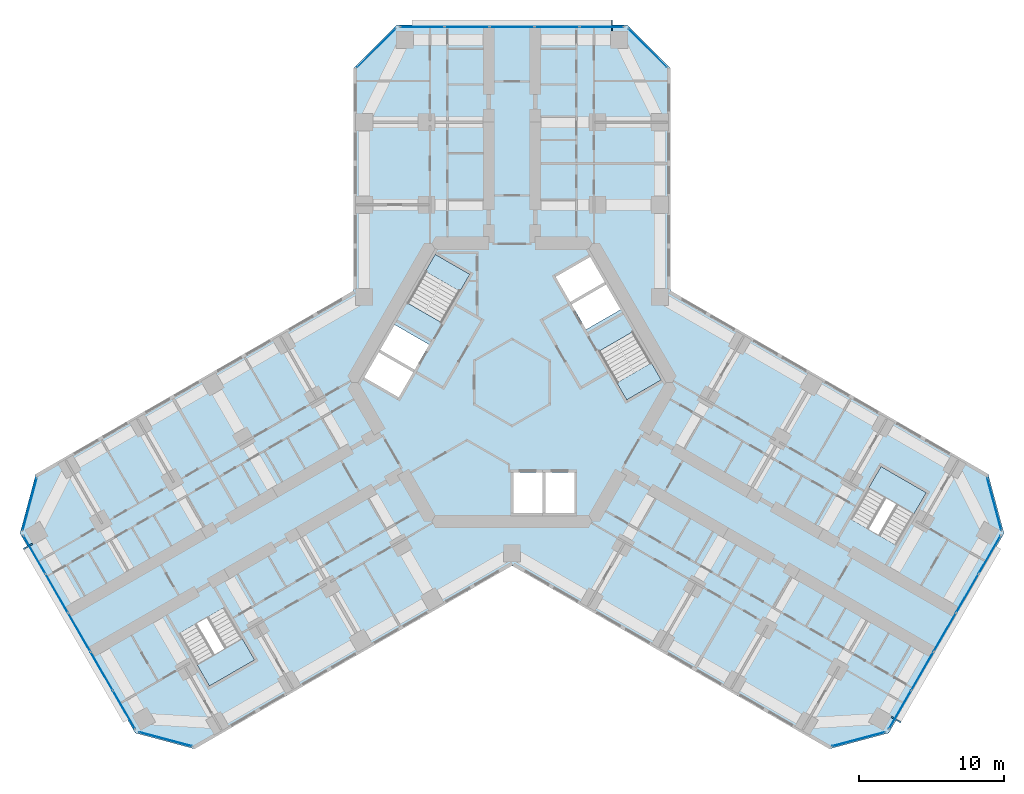
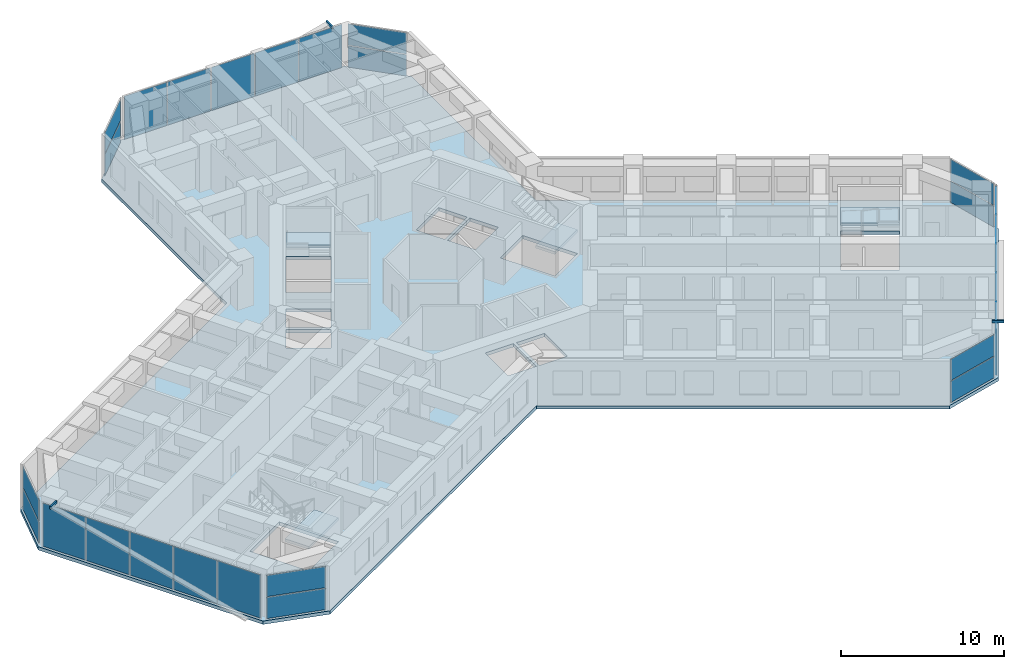
# One storey, part 9 of 20: 27 plates, 5 slabs, 3 members, 13 elements without a shape of their own.
"""IFC4 building model written with IfcOpenShell, lengths in metres."""

from ifc_helpers import new_model, si_unit, direction, frame, origin, origin_2d, place, context, subcontext, project, spatial, polyline, rectangle, hollow_rectangle, outline, extrude, material, layer, layer_set, material_profile, profile_set, type_object, element, aggregate, save


model = new_model("IFC4")

# Units and contexts
model_context = context("Model", 3, precision=1e-05, world=origin(), true_north=direction((0.0, 1.0)))
body_context = subcontext(model_context, "Body", "Model", "MODEL_VIEW")
ifc_project = project(units=[si_unit("LENGTHUNIT", "METRE"), si_unit("AREAUNIT", "SQUARE_METRE"), si_unit("VOLUMEUNIT", "CUBIC_METRE"), si_unit("PLANEANGLEUNIT", "RADIAN"), si_unit("MASSUNIT", "GRAM", prefix="KILO")], contexts=[model_context])

# Site, building, storey
site_placement = place(None, origin())
site = spatial("IfcSite", under=ifc_project, at=site_placement, CompositionType="ELEMENT")
building_placement = place(site_placement, origin())
building = spatial("IfcBuilding", under=site, at=building_placement, Name="Kosmar Iwan School Tower", CompositionType="ELEMENT")
storey_placement = place(building_placement, frame((0.0, 0.0, 127.39990234375)))
storey = spatial("IfcBuildingStorey", under=building, at=storey_placement, Name="L31", CompositionType="ELEMENT", Elevation=127.39990234375)

# Members
ifc_material_1 = material(Name="Steel S355", Category="steel")
ifc_material_profile = material_profile(ifc_material_1, hollow_rectangle(XDim=0.10009765625, YDim=0.199951171875, WallThickness=0.008056640625, at=origin_2d()), Name="RHS 200x100x8")
ifc_profile_set = profile_set([ifc_material_profile], Name="Steel S355")
member_type = type_object("IfcMemberType", Name="Fin bracket RHS 200x100", PredefinedType="USERDEFINED", material=ifc_profile_set)
for number, where, z_axis, x_axis, name in (
    (1, (26.1689453125, -23.073974609375, 3.47509765625), (0.86599040064, -0.500060622324, 0.0), (0.500060622324, 0.86599040064, 0.0), "Fin bracket L32"),
    (2, (6.898193359375, 24.25, 3.47509765625), (0.0, 1.0, 0.0), (-1.0, 0.0, 0.0), "Fin bracket L32"),
    (3, (-33.067138671875, -11.1259765625, 3.47509765625), (-0.866071776036, -0.499919672301, 0.0), (0.499919672301, -0.866071776036, 0.0), "Fin bracket L32"),
):
    element("IfcMember", number, at=place(storey_placement, frame(where, z_axis=z_axis, x_axis=x_axis)), inside=storey, type_object=member_type, Name=name, ObjectType="FIN BRACKET", PredefinedType="USERDEFINED", context=body_context, shape_type="SweptSolid", body=[
        extrude(hollow_rectangle(XDim=0.10009765625, YDim=0.199951171875, WallThickness=0.008056640625, at=origin_2d()), origin(), (0.0, 0.0, 1.0), 0.75),
    ])

# Curtain wall, plates
ifc_material_2 = material(Name="Dark glass in black aluminium frame", Category="aluminium")
curtain_wall_type_1 = type_object("IfcCurtainWallType", Name="Chamfer curtain wall dark glass", PredefinedType="USERDEFINED", material=ifc_material_2)
curtain_wall_1_placement = place(storey_placement, origin())
curtain_wall_1 = element("IfcCurtainWall", 4, at=curtain_wall_1_placement, inside=storey, type_object=curtain_wall_type_1, Name="Curtain wall L31-F02", ObjectType="FACETED CURTAIN WALL", PredefinedType="USERDEFINED")
ifc_material_3 = material(Name="Dark glass", Category="glass")
ifc_layer_1 = layer(ifc_material_3, 0.028076171875)
ifc_layer_set_1 = layer_set([ifc_layer_1], Name="Dark glass panel 28")
plate_type = type_object("IfcPlateType", Name="Dark glass panel 28", PredefinedType="CURTAIN_PANEL", material=ifc_layer_set_1)
plate_1_placement = place(storey_placement, frame((23.908203125, -24.61328125, 0.06005859375), z_axis=(0.0, 0.0, 1.0), x_axis=(0.965925875495, 0.258818861462, 0.0)))
plate_1 = element("IfcPlate", 5, at=plate_1_placement, type_object=plate_type, Name="CW2 panel 1.1", PredefinedType="CURTAIN_PANEL", context=body_context, shape_type="SweptSolid", body=[
    extrude(rectangle(XDim=3.718994140625, YDim=0.028076171875, at=origin_2d()), origin(), (0.0, 0.0, 1.0), 1.5849609375),
])
plate_2_placement = place(storey_placement, frame((23.908203125, -24.61328125, 1.705078125), z_axis=(0.0, 0.0, 1.0), x_axis=(0.965925875495, 0.258818861462, 0.0)))
plate_2 = element("IfcPlate", 6, at=plate_2_placement, type_object=plate_type, Name="CW2 panel 1.2", PredefinedType="CURTAIN_PANEL", context=body_context, shape_type="SweptSolid", body=[
    extrude(rectangle(XDim=3.718994140625, YDim=0.028076171875, at=origin_2d()), origin(), (0.0, 0.0, 1.0), 1.5849609375),
])
aggregate(curtain_wall_1, [plate_1, plate_2])

ifc_material_4 = material(Name="Dark glass in black aluminium frame", Category="aluminium")
curtain_wall_type_2 = type_object("IfcCurtainWallType", Name="Tower curtain wall dark glass", PredefinedType="USERDEFINED", material=ifc_material_4)
curtain_wall_2_placement = place(storey_placement, origin())
curtain_wall_2 = element("IfcCurtainWall", 7, at=curtain_wall_2_placement, inside=storey, type_object=curtain_wall_type_2, Name="Curtain wall L31-F03", ObjectType="UNITISED CURTAIN WALL", PredefinedType="USERDEFINED")
plate_3_placement = place(storey_placement, frame((26.764404296875, -22.592529296875, 0.06005859375), z_axis=(0.0, 0.0, 1.0), x_axis=(0.499999997325, 0.866025405329, 0.0)))
plate_3 = element("IfcPlate", 8, at=plate_3_placement, type_object=plate_type, Name="CW1 panel 1.1", PredefinedType="CURTAIN_PANEL", context=body_context, shape_type="SweptSolid", body=[
    extrude(rectangle(XDim=3.00927734375, YDim=0.028076171875, at=origin_2d()), origin(), (0.0, 0.0, 1.0), 3.22998046875),
])
plate_4_placement = place(storey_placement, frame((28.306640625, -19.921630859375, 0.06005859375), z_axis=(0.0, 0.0, 1.0), x_axis=(0.499999997325, 0.866025405329, 0.0)))
plate_4 = element("IfcPlate", 9, at=plate_4_placement, type_object=plate_type, Name="CW1 panel 2.1", PredefinedType="CURTAIN_PANEL", context=body_context, shape_type="SweptSolid", body=[
    extrude(rectangle(XDim=3.039306640625, YDim=0.028076171875, at=origin_2d()), origin(), (0.0, 0.0, 1.0), 3.22998046875),
])
plate_5_placement = place(storey_placement, frame((29.856201171875, -17.237548828125, 0.06005859375), z_axis=(0.0, 0.0, 1.0), x_axis=(0.499999997325, 0.866025405329, 0.0)))
plate_5 = element("IfcPlate", 10, at=plate_5_placement, type_object=plate_type, Name="CW1 panel 3.1", PredefinedType="CURTAIN_PANEL", context=body_context, shape_type="SweptSolid", body=[
    extrude(rectangle(XDim=3.039306640625, YDim=0.028076171875, at=origin_2d()), origin(), (0.0, 0.0, 1.0), 3.22998046875),
])
plate_6_placement = place(storey_placement, frame((31.40576171875, -14.553466796875, 0.06005859375), z_axis=(0.0, 0.0, 1.0), x_axis=(0.499999997325, 0.866025405329, 0.0)))
plate_6 = element("IfcPlate", 11, at=plate_6_placement, type_object=plate_type, Name="CW1 panel 4.1", PredefinedType="CURTAIN_PANEL", context=body_context, shape_type="SweptSolid", body=[
    extrude(rectangle(XDim=3.039306640625, YDim=0.028076171875, at=origin_2d()), origin(), (0.0, 0.0, 1.0), 3.22998046875),
])
plate_7_placement = place(storey_placement, frame((32.947998046875, -11.88232421875, 0.06005859375), z_axis=(0.0, 0.0, 1.0), x_axis=(0.499999997325, 0.866025405329, 0.0)))
plate_7 = element("IfcPlate", 12, at=plate_7_placement, type_object=plate_type, Name="CW1 panel 5.1", PredefinedType="CURTAIN_PANEL", context=body_context, shape_type="SweptSolid", body=[
    extrude(rectangle(XDim=3.00927734375, YDim=0.028076171875, at=origin_2d()), origin(), (0.0, 0.0, 1.0), 3.22998046875),
])
aggregate(curtain_wall_2, [plate_3, plate_4, plate_5, plate_6, plate_7])

curtain_wall_3_placement = place(storey_placement, origin())
curtain_wall_3 = element("IfcCurtainWall", 13, at=curtain_wall_3_placement, inside=storey, type_object=curtain_wall_type_1, Name="Curtain wall L31-F04", ObjectType="FACETED CURTAIN WALL", PredefinedType="USERDEFINED")
plate_8_placement = place(storey_placement, frame((33.269775390625, -8.3984375, 0.06005859375), z_axis=(0.0, 0.0, 1.0), x_axis=(-0.258818861462, 0.965925875495, 0.0)))
plate_8 = element("IfcPlate", 14, at=plate_8_placement, type_object=plate_type, Name="CW2 panel 1.1", PredefinedType="CURTAIN_PANEL", context=body_context, shape_type="SweptSolid", body=[
    extrude(rectangle(XDim=3.718994140625, YDim=0.028076171875, at=origin_2d()), origin(), (0.0, 0.0, 1.0), 1.5849609375),
])
plate_9_placement = place(storey_placement, frame((33.269775390625, -8.3984375, 1.705078125), z_axis=(0.0, 0.0, 1.0), x_axis=(-0.258818861462, 0.965925875495, 0.0)))
plate_9 = element("IfcPlate", 15, at=plate_9_placement, type_object=plate_type, Name="CW2 panel 1.2", PredefinedType="CURTAIN_PANEL", context=body_context, shape_type="SweptSolid", body=[
    extrude(rectangle(XDim=3.718994140625, YDim=0.028076171875, at=origin_2d()), origin(), (0.0, 0.0, 1.0), 1.5849609375),
])
aggregate(curtain_wall_3, [plate_8, plate_9])

curtain_wall_4_placement = place(storey_placement, origin())
curtain_wall_4 = element("IfcCurtainWall", 16, at=curtain_wall_4_placement, inside=storey, type_object=curtain_wall_type_1, Name="Curtain wall L31-F07", ObjectType="FACETED CURTAIN WALL", PredefinedType="USERDEFINED")
plate_10_placement = place(storey_placement, frame((9.361572265625, 23.0615234375, 0.06005859375), z_axis=(0.0, 0.0, 1.0), x_axis=(-0.707106781187, 0.707106781187, 0.0)))
plate_10 = element("IfcPlate", 17, at=plate_10_placement, type_object=plate_type, Name="CW2 panel 1.1", PredefinedType="CURTAIN_PANEL", context=body_context, shape_type="SweptSolid", body=[
    extrude(rectangle(XDim=3.718994140625, YDim=0.028076171875, at=origin_2d()), origin(), (0.0, 0.0, 1.0), 1.5849609375),
])
plate_11_placement = place(storey_placement, frame((9.361572265625, 23.0615234375, 1.705078125), z_axis=(0.0, 0.0, 1.0), x_axis=(-0.707106781187, 0.707106781187, 0.0)))
plate_11 = element("IfcPlate", 18, at=plate_11_placement, type_object=plate_type, Name="CW2 panel 1.2", PredefinedType="CURTAIN_PANEL", context=body_context, shape_type="SweptSolid", body=[
    extrude(rectangle(XDim=3.718994140625, YDim=0.028076171875, at=origin_2d()), origin(), (0.0, 0.0, 1.0), 1.5849609375),
])
aggregate(curtain_wall_4, [plate_10, plate_11])

curtain_wall_5_placement = place(storey_placement, origin())
curtain_wall_5 = element("IfcCurtainWall", 19, at=curtain_wall_5_placement, inside=storey, type_object=curtain_wall_type_2, Name="Curtain wall L31-F08", ObjectType="UNITISED CURTAIN WALL", PredefinedType="USERDEFINED")
plate_12_placement = place(storey_placement, frame((6.18359375, 24.52490234375, 0.06005859375), z_axis=(0.0, 0.0, 1.0), x_axis=(-1.0, 0.0, 0.0)))
plate_12 = element("IfcPlate", 20, at=plate_12_placement, type_object=plate_type, Name="CW1 panel 1.1", PredefinedType="CURTAIN_PANEL", context=body_context, shape_type="SweptSolid", body=[
    extrude(rectangle(XDim=3.00927734375, YDim=0.028076171875, at=origin_2d()), origin(), (0.0, 0.0, 1.0), 3.22998046875),
])
plate_13_placement = place(storey_placement, frame((3.099365234375, 24.52490234375, 0.06005859375), z_axis=(0.0, 0.0, 1.0), x_axis=(-1.0, 0.0, 0.0)))
plate_13 = element("IfcPlate", 21, at=plate_13_placement, type_object=plate_type, Name="CW1 panel 2.1", PredefinedType="CURTAIN_PANEL", context=body_context, shape_type="SweptSolid", body=[
    extrude(rectangle(XDim=3.039306640625, YDim=0.028076171875, at=origin_2d()), origin(), (0.0, 0.0, 1.0), 3.22998046875),
])
plate_14_placement = place(storey_placement, frame((0.0, 24.52490234375, 0.06005859375), z_axis=(0.0, 0.0, 1.0), x_axis=(-1.0, 0.0, 0.0)))
plate_14 = element("IfcPlate", 22, at=plate_14_placement, type_object=plate_type, Name="CW1 panel 3.1", PredefinedType="CURTAIN_PANEL", context=body_context, shape_type="SweptSolid", body=[
    extrude(rectangle(XDim=3.039306640625, YDim=0.028076171875, at=origin_2d()), origin(), (0.0, 0.0, 1.0), 3.22998046875),
])
plate_15_placement = place(storey_placement, frame((-3.099365234375, 24.52490234375, 0.06005859375), z_axis=(0.0, 0.0, 1.0), x_axis=(-1.0, 0.0, 0.0)))
plate_15 = element("IfcPlate", 23, at=plate_15_placement, type_object=plate_type, Name="CW1 panel 4.1", PredefinedType="CURTAIN_PANEL", context=body_context, shape_type="SweptSolid", body=[
    extrude(rectangle(XDim=3.039306640625, YDim=0.028076171875, at=origin_2d()), origin(), (0.0, 0.0, 1.0), 3.22998046875),
])
plate_16_placement = place(storey_placement, frame((-6.18359375, 24.52490234375, 0.06005859375), z_axis=(0.0, 0.0, 1.0), x_axis=(-1.0, 0.0, 0.0)))
plate_16 = element("IfcPlate", 24, at=plate_16_placement, type_object=plate_type, Name="CW1 panel 5.1", PredefinedType="CURTAIN_PANEL", context=body_context, shape_type="SweptSolid", body=[
    extrude(rectangle(XDim=3.00927734375, YDim=0.028076171875, at=origin_2d()), origin(), (0.0, 0.0, 1.0), 3.22998046875),
])
aggregate(curtain_wall_5, [plate_12, plate_13, plate_14, plate_15, plate_16])

curtain_wall_6_placement = place(storey_placement, origin())
curtain_wall_6 = element("IfcCurtainWall", 25, at=curtain_wall_6_placement, inside=storey, type_object=curtain_wall_type_1, Name="Curtain wall L31-F09", ObjectType="FACETED CURTAIN WALL", PredefinedType="USERDEFINED")
plate_17_placement = place(storey_placement, frame((-9.361572265625, 23.0615234375, 0.06005859375), z_axis=(0.0, 0.0, 1.0), x_axis=(-0.707106781187, -0.707106781187, 0.0)))
plate_17 = element("IfcPlate", 26, at=plate_17_placement, type_object=plate_type, Name="CW2 panel 1.1", PredefinedType="CURTAIN_PANEL", context=body_context, shape_type="SweptSolid", body=[
    extrude(rectangle(XDim=3.718994140625, YDim=0.028076171875, at=origin_2d()), origin(), (0.0, 0.0, 1.0), 1.5849609375),
])
plate_18_placement = place(storey_placement, frame((-9.361572265625, 23.0615234375, 1.705078125), z_axis=(0.0, 0.0, 1.0), x_axis=(-0.707106781187, -0.707106781187, 0.0)))
plate_18 = element("IfcPlate", 27, at=plate_18_placement, type_object=plate_type, Name="CW2 panel 1.2", PredefinedType="CURTAIN_PANEL", context=body_context, shape_type="SweptSolid", body=[
    extrude(rectangle(XDim=3.718994140625, YDim=0.028076171875, at=origin_2d()), origin(), (0.0, 0.0, 1.0), 1.5849609375),
])
aggregate(curtain_wall_6, [plate_17, plate_18])

curtain_wall_7_placement = place(storey_placement, origin())
curtain_wall_7 = element("IfcCurtainWall", 28, at=curtain_wall_7_placement, inside=storey, type_object=curtain_wall_type_1, Name="Curtain wall L31-F12", ObjectType="FACETED CURTAIN WALL", PredefinedType="USERDEFINED")
plate_19_placement = place(storey_placement, frame((-33.269775390625, -8.3984375, 0.06005859375), z_axis=(0.0, 0.0, 1.0), x_axis=(-0.258818861462, -0.965925875495, 0.0)))
plate_19 = element("IfcPlate", 29, at=plate_19_placement, type_object=plate_type, Name="CW2 panel 1.1", PredefinedType="CURTAIN_PANEL", context=body_context, shape_type="SweptSolid", body=[
    extrude(rectangle(XDim=3.718994140625, YDim=0.028076171875, at=origin_2d()), origin(), (0.0, 0.0, 1.0), 1.5849609375),
])
plate_20_placement = place(storey_placement, frame((-33.269775390625, -8.3984375, 1.705078125), z_axis=(0.0, 0.0, 1.0), x_axis=(-0.258818861462, -0.965925875495, 0.0)))
plate_20 = element("IfcPlate", 30, at=plate_20_placement, type_object=plate_type, Name="CW2 panel 1.2", PredefinedType="CURTAIN_PANEL", context=body_context, shape_type="SweptSolid", body=[
    extrude(rectangle(XDim=3.718994140625, YDim=0.028076171875, at=origin_2d()), origin(), (0.0, 0.0, 1.0), 1.5849609375),
])
aggregate(curtain_wall_7, [plate_19, plate_20])

curtain_wall_8_placement = place(storey_placement, origin())
curtain_wall_8 = element("IfcCurtainWall", 31, at=curtain_wall_8_placement, inside=storey, type_object=curtain_wall_type_2, Name="Curtain wall L31-F13", ObjectType="UNITISED CURTAIN WALL", PredefinedType="USERDEFINED")
plate_21_placement = place(storey_placement, frame((-32.947998046875, -11.88232421875, 0.06005859375), z_axis=(0.0, 0.0, 1.0), x_axis=(0.499999997325, -0.866025405329, 0.0)))
plate_21 = element("IfcPlate", 32, at=plate_21_placement, type_object=plate_type, Name="CW1 panel 1.1", PredefinedType="CURTAIN_PANEL", context=body_context, shape_type="SweptSolid", body=[
    extrude(rectangle(XDim=3.00927734375, YDim=0.028076171875, at=origin_2d()), origin(), (0.0, 0.0, 1.0), 3.22998046875),
])
plate_22_placement = place(storey_placement, frame((-31.40576171875, -14.553466796875, 0.06005859375), z_axis=(0.0, 0.0, 1.0), x_axis=(0.499999997325, -0.866025405329, 0.0)))
plate_22 = element("IfcPlate", 33, at=plate_22_placement, type_object=plate_type, Name="CW1 panel 2.1", PredefinedType="CURTAIN_PANEL", context=body_context, shape_type="SweptSolid", body=[
    extrude(rectangle(XDim=3.039306640625, YDim=0.028076171875, at=origin_2d()), origin(), (0.0, 0.0, 1.0), 3.22998046875),
])
plate_23_placement = place(storey_placement, frame((-29.856201171875, -17.237548828125, 0.06005859375), z_axis=(0.0, 0.0, 1.0), x_axis=(0.499999997325, -0.866025405329, 0.0)))
plate_23 = element("IfcPlate", 34, at=plate_23_placement, type_object=plate_type, Name="CW1 panel 3.1", PredefinedType="CURTAIN_PANEL", context=body_context, shape_type="SweptSolid", body=[
    extrude(rectangle(XDim=3.039306640625, YDim=0.028076171875, at=origin_2d()), origin(), (0.0, 0.0, 1.0), 3.22998046875),
])
plate_24_placement = place(storey_placement, frame((-28.306640625, -19.921630859375, 0.06005859375), z_axis=(0.0, 0.0, 1.0), x_axis=(0.499999997325, -0.866025405329, 0.0)))
plate_24 = element("IfcPlate", 35, at=plate_24_placement, type_object=plate_type, Name="CW1 panel 4.1", PredefinedType="CURTAIN_PANEL", context=body_context, shape_type="SweptSolid", body=[
    extrude(rectangle(XDim=3.039306640625, YDim=0.028076171875, at=origin_2d()), origin(), (0.0, 0.0, 1.0), 3.22998046875),
])
plate_25_placement = place(storey_placement, frame((-26.764404296875, -22.592529296875, 0.06005859375), z_axis=(0.0, 0.0, 1.0), x_axis=(0.499999997325, -0.866025405329, 0.0)))
plate_25 = element("IfcPlate", 36, at=plate_25_placement, type_object=plate_type, Name="CW1 panel 5.1", PredefinedType="CURTAIN_PANEL", context=body_context, shape_type="SweptSolid", body=[
    extrude(rectangle(XDim=3.00927734375, YDim=0.028076171875, at=origin_2d()), origin(), (0.0, 0.0, 1.0), 3.22998046875),
])
aggregate(curtain_wall_8, [plate_21, plate_22, plate_23, plate_24, plate_25])

curtain_wall_9_placement = place(storey_placement, origin())
curtain_wall_9 = element("IfcCurtainWall", 37, at=curtain_wall_9_placement, inside=storey, type_object=curtain_wall_type_1, Name="Curtain wall L31-F14", ObjectType="FACETED CURTAIN WALL", PredefinedType="USERDEFINED")
plate_26_placement = place(storey_placement, frame((-23.908203125, -24.61328125, 0.06005859375), z_axis=(0.0, 0.0, 1.0), x_axis=(0.965925875495, -0.258818861462, 0.0)))
plate_26 = element("IfcPlate", 38, at=plate_26_placement, type_object=plate_type, Name="CW2 panel 1.1", PredefinedType="CURTAIN_PANEL", context=body_context, shape_type="SweptSolid", body=[
    extrude(rectangle(XDim=3.718994140625, YDim=0.028076171875, at=origin_2d()), origin(), (0.0, 0.0, 1.0), 1.5849609375),
])
plate_27_placement = place(storey_placement, frame((-23.908203125, -24.61328125, 1.705078125), z_axis=(0.0, 0.0, 1.0), x_axis=(0.965925875495, -0.258818861462, 0.0)))
plate_27 = element("IfcPlate", 39, at=plate_27_placement, type_object=plate_type, Name="CW2 panel 1.2", PredefinedType="CURTAIN_PANEL", context=body_context, shape_type="SweptSolid", body=[
    extrude(rectangle(XDim=3.718994140625, YDim=0.028076171875, at=origin_2d()), origin(), (0.0, 0.0, 1.0), 1.5849609375),
])
aggregate(curtain_wall_9, [plate_26, plate_27])

# Stair, slab
ifc_material_5 = material(Name="Concrete C35/45", Category="concrete")
stair_type_1 = type_object("IfcStairType", Name="Escape stair 3600", PredefinedType="HALF_TURN_STAIR", material=ifc_material_5)
stair_1_placement = place(storey_placement, origin())
stair_1 = element("IfcStair", 40, at=stair_1_placement, inside=storey, type_object=stair_type_1, Name="Stair WS2 L31", PredefinedType="HALF_TURN_STAIR")
ifc_material_6 = material(Name="Concrete C35/45", Category="concrete")
ifc_layer_2 = layer(ifc_material_6, 0.199951171875)
ifc_layer_set_2 = layer_set([ifc_layer_2], Name="Escape stair landing 200")
slab_type_1 = type_object("IfcSlabType", Name="Escape stair landing 200", PredefinedType="LANDING", material=ifc_layer_set_2)
slab_1_placement = place(storey_placement, frame((0.0, 0.0, 1.60009765625)))
slab_1 = element("IfcSlab", 41, at=slab_1_placement, type_object=slab_type_1, Name="WS2 landing 1", PredefinedType="LANDING", context=body_context, shape_type="SweptSolid", body=[
    extrude(outline(polyline([(-18.607421875, -17.671142578125), (-21.72509765625, -19.47119140625), (-20.875, -20.943359375), (-17.75732421875, -19.143310546875), (-18.607421875, -17.671142578125)])), origin(), (0.0, 0.0, 1.0), 0.199951171875),
])
aggregate(stair_1, [slab_1])

stair_2_placement = place(storey_placement, origin())
stair_2 = element("IfcStair", 42, at=stair_2_placement, inside=storey, type_object=stair_type_1, Name="Stair WS3 L31", PredefinedType="HALF_TURN_STAIR")
slab_2_placement = place(storey_placement, frame((0.0, 0.0, 1.60009765625)))
slab_2 = element("IfcSlab", 43, at=slab_2_placement, type_object=slab_type_1, Name="WS3 landing 1", PredefinedType="LANDING", context=body_context, shape_type="SweptSolid", body=[
    extrude(outline(polyline([(24.607421875, -7.27880859375), (27.72509765625, -9.078857421875), (28.574951171875, -7.606689453125), (25.457275390625, -5.806640625), (24.607421875, -7.27880859375)])), origin(), (0.0, 0.0, 1.0), 0.199951171875),
])
aggregate(stair_2, [slab_2])

# Slab
ifc_material_7 = material(Name="Concrete C35/45", Category="concrete")
ifc_layer_3 = layer(ifc_material_7, 0.25)
ifc_layer_set_3 = layer_set([ifc_layer_3], Name="Floor slab 250")
slab_type_2 = type_object("IfcSlabType", Name="Floor slab 250", PredefinedType="FLOOR", material=ifc_layer_set_3)
slab_3_placement = place(storey_placement, frame((0.0, 0.0, -0.25)))
element("IfcSlab", 44, at=slab_3_placement, inside=storey, type_object=slab_type_2, Name="L31 floor slab", PredefinedType="FLOOR", context=body_context, shape_type="SweptSolid", body=[
    extrude(outline(polyline([(-21.891357421875, -25.282958984375), (0.0, -12.64404296875), (21.891357421875, -25.282958984375), (25.989501953125, -24.184814453125), (33.939453125, -10.4150390625), (32.84130859375, -6.317138671875), (10.949951171875, 6.322021484375), (10.949951171875, 21.64990234375), (7.949951171875, 24.64990234375), (-7.949951171875, 24.64990234375), (-10.949951171875, 21.64990234375), (-10.949951171875, 6.322021484375), (-32.84130859375, -6.317138671875), (-33.939453125, -10.4150390625), (-25.989501953125, -24.184814453125), (-21.891357421875, -25.282958984375)]), holes=[polyline([(7.91259765625, -1.205078125), (10.294189453125, 0.169921875), (8.3642578125, 3.5126953125), (5.982666015625, 2.1376953125), (7.91259765625, -1.205078125)]), polyline([(-2.91259765625, 7.455078125), (-5.294189453125, 8.830078125), (-7.22412109375, 5.4873046875), (-4.8427734375, 4.1123046875), (-2.91259765625, 7.455078125)]), polyline([(-5.712646484375, 2.60546875), (-8.09423828125, 3.98046875), (-9.09423828125, 2.248291015625), (-6.712646484375, 0.873291015625), (-5.712646484375, 2.60546875)]), polyline([(-6.812744140625, 0.7001953125), (-9.1943359375, 2.0751953125), (-10.1943359375, 0.343017578125), (-7.812744140625, -1.031982421875), (-6.812744140625, 0.7001953125)]), polyline([(5.112548828125, 3.64453125), (7.494140625, 5.01953125), (6.494140625, 6.751708984375), (4.112548828125, 5.376708984375), (5.112548828125, 3.64453125)]), polyline([(4.0126953125, 5.5498046875), (6.394287109375, 6.9248046875), (5.394287109375, 8.656982421875), (3.0126953125, 7.281982421875), (4.0126953125, 5.5498046875)]), polyline([(0.10009765625, -6.199951171875), (0.10009765625, -9.0), (2.10009765625, -9.0), (2.10009765625, -6.199951171875), (0.10009765625, -6.199951171875)]), polyline([(2.300048828125, -6.199951171875), (2.300048828125, -9.0), (4.300048828125, -9.0), (4.300048828125, -6.199951171875), (2.300048828125, -6.199951171875)]), polyline([(-19.847412109375, -15.5234375), (-22.965087890625, -17.323486328125), (-20.875, -20.943359375), (-17.75732421875, -19.143310546875), (-19.847412109375, -15.5234375)]), polyline([(23.367431640625, -9.426513671875), (26.485107421875, -11.2265625), (28.574951171875, -7.606689453125), (25.457275390625, -5.806640625), (23.367431640625, -9.426513671875)])]), origin(), (0.0, 0.0, 1.0), 0.25),
])

# Stair, slab
ifc_material_8 = material(Name="Concrete C35/45", Category="concrete")
stair_type_2 = type_object("IfcStairType", Name="Core stair 2750", PredefinedType="HALF_TURN_STAIR", material=ifc_material_8)
stair_3_placement = place(storey_placement, origin())
stair_3 = element("IfcStair", 45, at=stair_3_placement, inside=storey, type_object=stair_type_2, Name="Stair ST2 L31", PredefinedType="HALF_TURN_STAIR")
ifc_material_9 = material(Name="Concrete C35/45", Category="concrete")
ifc_layer_4 = layer(ifc_material_9, 0.199951171875)
ifc_layer_set_4 = layer_set([ifc_layer_4], Name="Stair landing 200")
slab_type_3 = type_object("IfcSlabType", Name="Stair landing 200", PredefinedType="LANDING", material=ifc_layer_set_4)
slab_4_placement = place(storey_placement, frame((0.0, 0.0, 1.60009765625)))
slab_4 = element("IfcSlab", 46, at=slab_4_placement, type_object=slab_type_3, Name="ST2 landing 1", PredefinedType="LANDING", context=body_context, shape_type="SweptSolid", body=[
    extrude(outline(polyline([(-2.91259765625, 7.455078125), (-5.294189453125, 8.830078125), (-5.97412109375, 7.65234375), (-3.5927734375, 6.27734375), (-2.91259765625, 7.455078125)])), origin(), (0.0, 0.0, 1.0), 0.199951171875),
])
aggregate(stair_3, [slab_4])

stair_4_placement = place(storey_placement, origin())
stair_4 = element("IfcStair", 47, at=stair_4_placement, inside=storey, type_object=stair_type_2, Name="Stair ST1 L31", PredefinedType="HALF_TURN_STAIR")
slab_5_placement = place(storey_placement, frame((0.0, 0.0, 1.60009765625)))
slab_5 = element("IfcSlab", 48, at=slab_5_placement, type_object=slab_type_3, Name="ST1 landing 1", PredefinedType="LANDING", context=body_context, shape_type="SweptSolid", body=[
    extrude(outline(polyline([(7.91259765625, -1.205078125), (10.294189453125, 0.169921875), (9.6142578125, 1.34765625), (7.232666015625, -0.02734375), (7.91259765625, -1.205078125)])), origin(), (0.0, 0.0, 1.0), 0.199951171875),
])
aggregate(stair_4, [slab_5])

save(model, "model.ifc")
